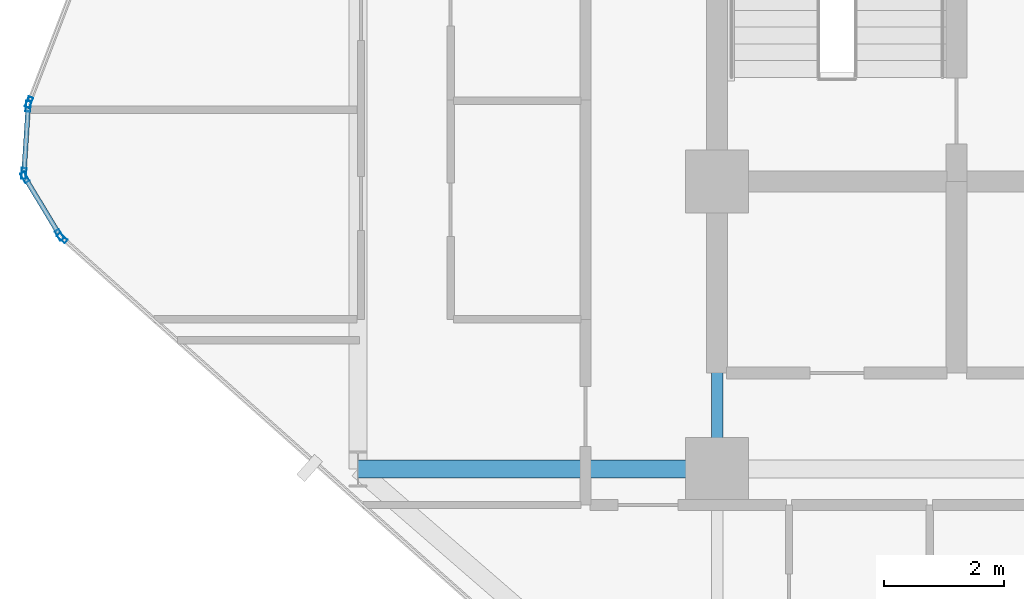
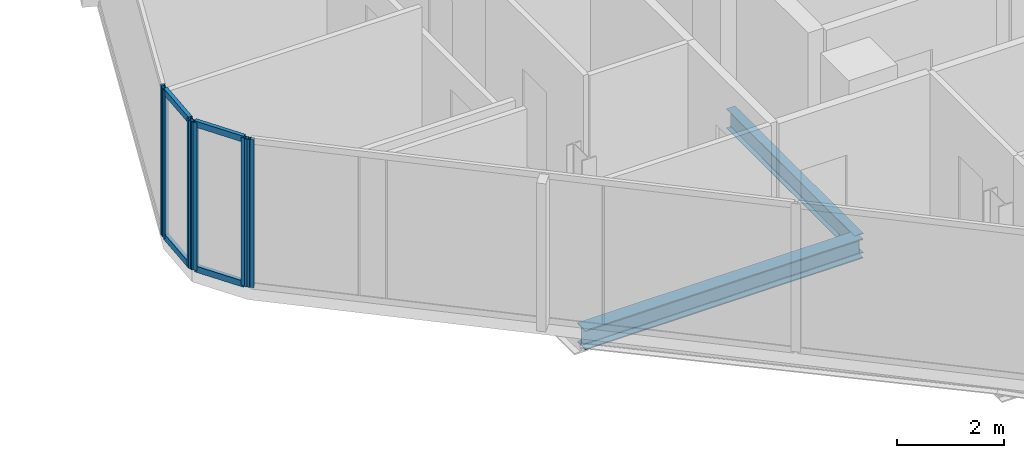
# One storey, part 6 of 30: 10 members, 2 beams, 4 elements without a shape of their own.
"""IFC4 building model written with IfcOpenShell, lengths in metres."""

from ifc_helpers import new_model, si_unit, direction, frame, origin, origin_2d, place, context, subcontext, project, spatial, hollow_rectangle, i_section, extrude, material, layer, layer_set, material_profile, profile_set, type_object, element, aggregate, save


model = new_model("IFC4")

# Units and contexts
model_context = context("Model", 3, precision=1e-05, world=origin(), true_north=direction((0.0, 1.0)))
body_context = subcontext(model_context, "Body", "Model", "MODEL_VIEW")
ifc_project = project(units=[si_unit("LENGTHUNIT", "METRE"), si_unit("AREAUNIT", "SQUARE_METRE"), si_unit("VOLUMEUNIT", "CUBIC_METRE"), si_unit("PLANEANGLEUNIT", "RADIAN"), si_unit("MASSUNIT", "GRAM", prefix="KILO")], contexts=[model_context])

# Site, building, storey
site_placement = place(None, origin())
site = spatial("IfcSite", under=ifc_project, at=site_placement, CompositionType="ELEMENT")
building_placement = place(site_placement, origin())
building = spatial("IfcBuilding", under=site, at=building_placement, Name="Keshet Zoharim Tower", CompositionType="ELEMENT")
storey_placement = place(building_placement, frame((0.0, 0.0, 116.800048828125)))
storey = spatial("IfcBuildingStorey", under=building, at=storey_placement, Name="L28", CompositionType="ELEMENT", Elevation=116.800048828125)

# Beams
ifc_material_1 = material(Name="Steel S355", Category="steel")
ifc_material_profile_1 = material_profile(ifc_material_1, i_section(OverallWidth=0.18994140625, OverallDepth=0.449951171875, WebThickness=0.009521484375, FlangeThickness=0.0146484375, FilletRadius=0.02099609375, at=origin_2d()), Name="IPE450")
ifc_profile_set_1 = profile_set([ifc_material_profile_1], Name="Steel S355")
beam_type_1 = type_object("IfcBeamType", Name="BM-PRI-IP450", PredefinedType="BEAM", material=ifc_profile_set_1)
beam_1_placement = place(storey_placement, frame((15.0, 17.89990234375, -0.5400390625), z_axis=(0.0, 1.0, 0.0), x_axis=(-1.0, 0.0, 0.0)))
element("IfcBeam", 1, at=beam_1_placement, inside=storey, type_object=beam_type_1, Name="L28 Primary Girder Y-003", PredefinedType="BEAM", context=body_context, shape_type="SweptSolid", body=[
    extrude(i_section(OverallWidth=0.18994140625, OverallDepth=0.449951171875, WebThickness=0.009521484375, FlangeThickness=0.0146484375, FilletRadius=0.02099609375, at=origin_2d()), origin(), (0.0, 0.0, 1.0), 4.800048828125),
])
ifc_material_profile_2 = material_profile(ifc_material_1, i_section(OverallWidth=0.300048828125, OverallDepth=0.449951171875, WebThickness=0.013916015625, FlangeThickness=0.02587890625, FilletRadius=0.027099609375, at=origin_2d()), Name="HEB450")
ifc_profile_set_2 = profile_set([ifc_material_profile_2], Name="Steel S355")
beam_type_2 = type_object("IfcBeamType", Name="BM-WEB-HB450", PredefinedType="BEAM", material=ifc_profile_set_2)
beam_2_placement = place(storey_placement, frame((9.0, 17.89990234375, -0.5400390625), z_axis=(1.0, 0.0, 0.0), x_axis=(0.0, 1.0, 0.0)))
element("IfcBeam", 2, at=beam_2_placement, inside=storey, type_object=beam_type_2, Name="L28 Primary Girder X-011", PredefinedType="BEAM", context=body_context, shape_type="SweptSolid", body=[
    extrude(i_section(OverallWidth=0.300048828125, OverallDepth=0.449951171875, WebThickness=0.013916015625, FlangeThickness=0.02587890625, FilletRadius=0.027099609375, at=origin_2d()), origin(), (0.0, 0.0, 1.0), 6.0),
])

# Curtain wall, member
ifc_material_2 = material(Name="Aluminium 6063-T6", Category="aluminium")
ifc_layer = layer(ifc_material_2, 0.159912109375)
ifc_layer_set = layer_set([ifc_layer], Name="Aluminium 6063-T6")
curtain_wall_type = type_object("IfcCurtainWallType", Name="CW-SYS-03", PredefinedType="NOTDEFINED", material=ifc_layer_set)
curtain_wall_1_placement = place(storey_placement, origin())
curtain_wall_1 = element("IfcCurtainWall", 3, at=curtain_wall_1_placement, inside=storey, type_object=curtain_wall_type, Name="L28 Unitised Curtain Wall 07 Part 2", PredefinedType="NOTDEFINED")
ifc_material_profile_3 = material_profile(ifc_material_2, hollow_rectangle(XDim=0.080078125, YDim=0.179931640625, WallThickness=0.00439453125, at=origin_2d()), Name="MUL-80x180")
ifc_profile_set_3 = profile_set([ifc_material_profile_3], Name="Aluminium 6063-T6")
member_type_1 = type_object("IfcMemberType", Name="CWM-M18", PredefinedType="MULLION", material=ifc_profile_set_3)
member_1_placement = place(storey_placement, frame((4.061279296875, 21.7568359375, 0.0), z_axis=(0.0, 0.0, 1.0), x_axis=(-0.664364431302, -0.747408792041, 0.0)))
member_1 = element("IfcMember", 4, at=member_1_placement, type_object=member_type_1, Name="CW-03 mullion 3", PredefinedType="MULLION", context=body_context, shape_type="SweptSolid", body=[
    extrude(hollow_rectangle(XDim=0.080078125, YDim=0.179931640625, WallThickness=0.00439453125, at=origin_2d()), origin(), (0.0, 0.0, 1.0), 3.3798828125),
])
aggregate(curtain_wall_1, [member_1])

# Curtain wall, members
curtain_wall_2_placement = place(storey_placement, origin())
curtain_wall_2 = element("IfcCurtainWall", 5, at=curtain_wall_2_placement, inside=storey, type_object=curtain_wall_type, Name="L28 Unitised Curtain Wall 08", PredefinedType="NOTDEFINED")
member_2_placement = place(storey_placement, frame((4.016845703125, 21.81005859375, 0.0), z_axis=(0.0, 0.0, 1.0), x_axis=(-0.856826433805, -0.515604947933, 0.0)))
member_2 = element("IfcMember", 6, at=member_2_placement, type_object=member_type_1, Name="CW-03 mullion 1", PredefinedType="MULLION", context=body_context, shape_type="SweptSolid", body=[
    extrude(hollow_rectangle(XDim=0.080078125, YDim=0.179931640625, WallThickness=0.00439453125, at=origin_2d()), origin(), (0.0, 0.0, 1.0), 3.3798828125),
])
member_3_placement = place(storey_placement, frame((3.43798828125, 22.77197265625, 0.0), z_axis=(0.0, 0.0, 1.0), x_axis=(-0.856826433805, -0.515604947933, 0.0)))
member_3 = element("IfcMember", 7, at=member_3_placement, type_object=member_type_1, Name="CW-03 mullion 2", PredefinedType="MULLION", context=body_context, shape_type="SweptSolid", body=[
    extrude(hollow_rectangle(XDim=0.080078125, YDim=0.179931640625, WallThickness=0.00439453125, at=origin_2d()), origin(), (0.0, 0.0, 1.0), 3.3798828125),
])

curtain_wall_3_placement = place(storey_placement, origin())
curtain_wall_3 = element("IfcCurtainWall", 8, at=curtain_wall_3_placement, inside=storey, type_object=curtain_wall_type, Name="L28 Unitised Curtain Wall 09", PredefinedType="NOTDEFINED")
member_4_placement = place(storey_placement, frame((3.42236328125, 22.8369140625, 0.0), z_axis=(0.0, 0.0, 1.0), x_axis=(-0.997916617186, 0.064516859374, 0.0)))
member_4 = element("IfcMember", 9, at=member_4_placement, type_object=member_type_1, Name="CW-03 mullion 1", PredefinedType="MULLION", context=body_context, shape_type="SweptSolid", body=[
    extrude(hollow_rectangle(XDim=0.080078125, YDim=0.179931640625, WallThickness=0.00439453125, at=origin_2d()), origin(), (0.0, 0.0, 1.0), 3.3798828125),
])
member_5_placement = place(storey_placement, frame((3.49462890625, 23.9580078125, 0.0), z_axis=(0.0, 0.0, 1.0), x_axis=(-0.997916617186, 0.064516859374, 0.0)))
member_5 = element("IfcMember", 10, at=member_5_placement, type_object=member_type_1, Name="CW-03 mullion 2", PredefinedType="MULLION", context=body_context, shape_type="SweptSolid", body=[
    extrude(hollow_rectangle(XDim=0.080078125, YDim=0.179931640625, WallThickness=0.00439453125, at=origin_2d()), origin(), (0.0, 0.0, 1.0), 3.3798828125),
])

# Curtain wall, member
curtain_wall_4_placement = place(storey_placement, origin())
curtain_wall_4 = element("IfcCurtainWall", 11, at=curtain_wall_4_placement, inside=storey, type_object=curtain_wall_type, Name="L28 Unitised Curtain Wall 10", PredefinedType="NOTDEFINED")
member_6_placement = place(storey_placement, frame((3.509521484375, 24.025634765625, 0.0), z_axis=(0.0, 0.0, 1.0), x_axis=(-0.933341404361, 0.358990003907, 0.0)))
member_6 = element("IfcMember", 12, at=member_6_placement, type_object=member_type_1, Name="CW-03 mullion 1", PredefinedType="MULLION", context=body_context, shape_type="SweptSolid", body=[
    extrude(hollow_rectangle(XDim=0.080078125, YDim=0.179931640625, WallThickness=0.00439453125, at=origin_2d()), origin(), (0.0, 0.0, 1.0), 3.3798828125),
])
aggregate(curtain_wall_4, [member_6])

# Member
ifc_material_profile_4 = material_profile(ifc_material_2, hollow_rectangle(XDim=0.080078125, YDim=0.139892578125, WallThickness=0.00390625, at=origin_2d()), Name="TRN-80x140")
ifc_profile_set_4 = profile_set([ifc_material_profile_4], Name="Aluminium 6063-T6")
member_type_2 = type_object("IfcMemberType", Name="CWT-T14", PredefinedType="USERDEFINED", material=ifc_profile_set_4)
member_7_placement = place(storey_placement, frame((3.9990234375, 21.840087890625, 0.034912109375), z_axis=(-0.515791194107, 0.856714330499, 0.0), x_axis=(-0.856714330499, -0.515791194107, 0.0)))
member_7 = element("IfcMember", 13, at=member_7_placement, type_object=member_type_2, Name="CW-03 transom 1.1", ObjectType="TRANSOM", PredefinedType="USERDEFINED", context=body_context, shape_type="SweptSolid", body=[
    extrude(hollow_rectangle(XDim=0.080078125, YDim=0.139892578125, WallThickness=0.00390625, at=origin_2d()), origin(), (0.0, 0.0, 1.0), 1.052734375),
])

member_8_placement = place(storey_placement, frame((3.9990234375, 21.840087890625, 3.344970703125), z_axis=(-0.515791194107, 0.856714330499, 0.0), x_axis=(-0.856714330499, -0.515791194107, 0.0)))
member_8 = element("IfcMember", 14, at=member_8_placement, type_object=member_type_2, Name="CW-03 transom 1.2", ObjectType="TRANSOM", PredefinedType="USERDEFINED", context=body_context, shape_type="SweptSolid", body=[
    extrude(hollow_rectangle(XDim=0.080078125, YDim=0.139892578125, WallThickness=0.00390625, at=origin_2d()), origin(), (0.0, 0.0, 1.0), 1.052734375),
])

aggregate(curtain_wall_2, [member_2, member_3, member_7, member_8])

member_9_placement = place(storey_placement, frame((3.424560546875, 22.871826171875, 0.034912109375), z_axis=(0.064426947155, 0.997922426083, 0.0), x_axis=(-0.997922426083, 0.064426947155, 0.0)))
member_9 = element("IfcMember", 15, at=member_9_placement, type_object=member_type_2, Name="CW-03 transom 1.1", ObjectType="TRANSOM", PredefinedType="USERDEFINED", context=body_context, shape_type="SweptSolid", body=[
    extrude(hollow_rectangle(XDim=0.080078125, YDim=0.139892578125, WallThickness=0.00390625, at=origin_2d()), origin(), (0.0, 0.0, 1.0), 1.053466796875),
])

member_10_placement = place(storey_placement, frame((3.424560546875, 22.871826171875, 3.344970703125), z_axis=(0.064426947155, 0.997922426083, 0.0), x_axis=(-0.997922426083, 0.064426947155, 0.0)))
member_10 = element("IfcMember", 16, at=member_10_placement, type_object=member_type_2, Name="CW-03 transom 1.2", ObjectType="TRANSOM", PredefinedType="USERDEFINED", context=body_context, shape_type="SweptSolid", body=[
    extrude(hollow_rectangle(XDim=0.080078125, YDim=0.139892578125, WallThickness=0.00390625, at=origin_2d()), origin(), (0.0, 0.0, 1.0), 1.053466796875),
])

aggregate(curtain_wall_3, [member_4, member_5, member_9, member_10])

save(model, "model.ifc")
